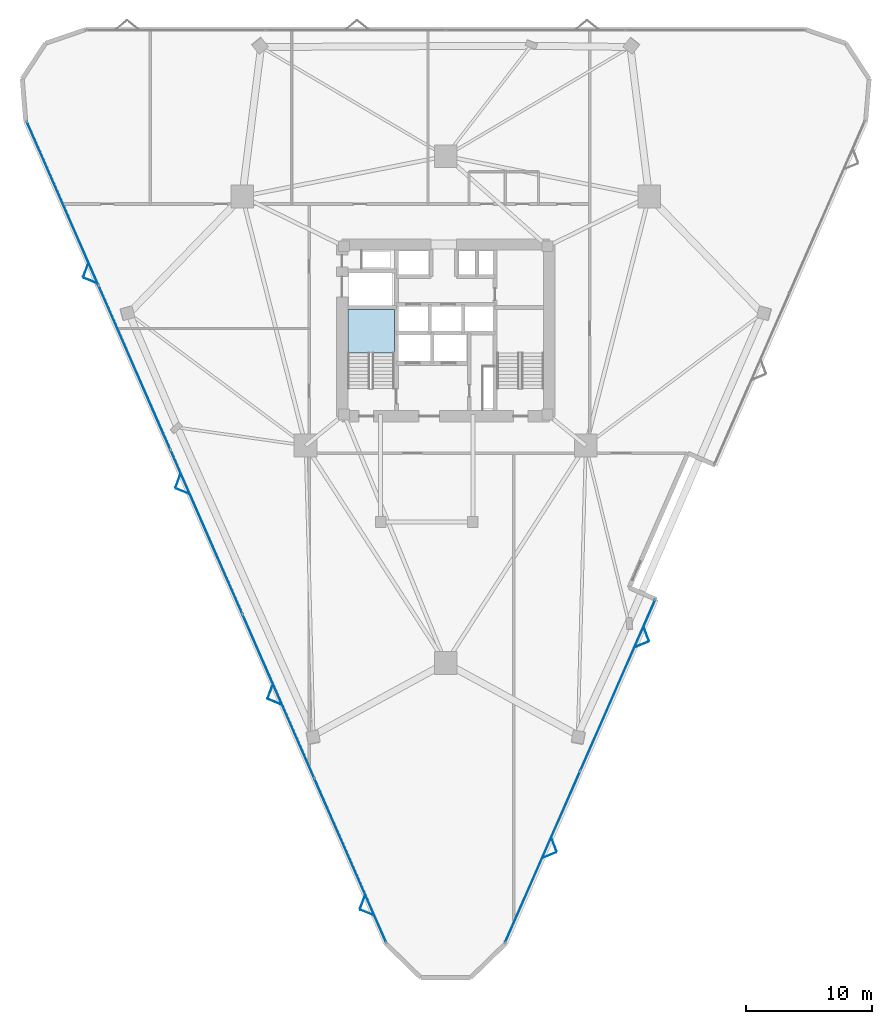
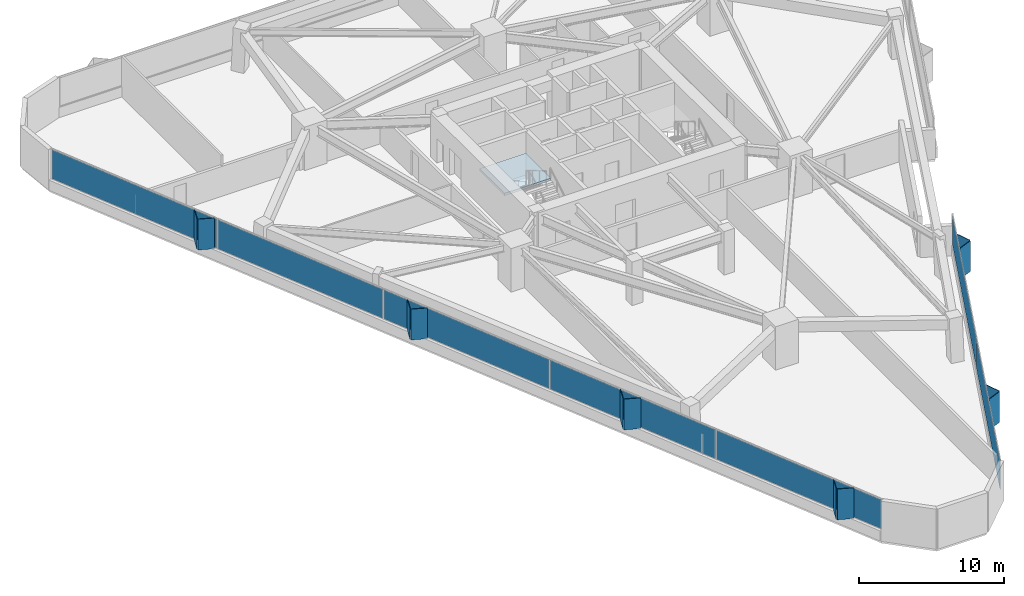
# One storey, part 9 of 14: 19 plates, 1 slab, 3 elements without a shape of their own.
"""IFC4 building model written with IfcOpenShell, lengths in metres."""

from ifc_helpers import new_model, si_unit, direction, frame, origin, origin_2d, place, context, subcontext, project, spatial, polyline, rectangle, outline, extrude, material, layer, layer_set, type_object, element, aggregate, save


model = new_model("IFC4")

# Units and contexts
model_context = context("Model", 3, precision=1e-05, world=origin(), true_north=direction((0.0, 1.0)))
body_context = subcontext(model_context, "Body", "Model", "MODEL_VIEW")
ifc_project = project(units=[si_unit("LENGTHUNIT", "METRE"), si_unit("AREAUNIT", "SQUARE_METRE"), si_unit("VOLUMEUNIT", "CUBIC_METRE"), si_unit("PLANEANGLEUNIT", "RADIAN"), si_unit("MASSUNIT", "GRAM", prefix="KILO")], contexts=[model_context])

# Site, building, storey
site_placement = place(None, origin())
site = spatial("IfcSite", under=ifc_project, at=site_placement, CompositionType="ELEMENT")
building_placement = place(site_placement, origin())
building = spatial("IfcBuilding", under=site, at=building_placement, Name="Talyreon Biosciences Tower", CompositionType="ELEMENT")
storey_placement = place(building_placement, frame((0.0, 0.0, 52.0)))
storey = spatial("IfcBuildingStorey", under=building, at=storey_placement, Name="L13", CompositionType="ELEMENT", Elevation=52.0)

# Curtain wall, plates
ifc_material_1 = material(Name="Thermally broken aluminium and low-E glazing", Category="aluminium")
ifc_layer_1 = layer(ifc_material_1, 0.205078125)
ifc_layer_set_1 = layer_set([ifc_layer_1], Name="Thermally broken aluminium and low-E glazing")
curtain_wall_type = type_object("IfcCurtainWallType", Name="CurtainWall_SkyGardenLoggia", PredefinedType="NOTDEFINED", material=ifc_layer_set_1)
curtain_wall_1_placement = place(storey_placement, origin())
curtain_wall_1 = element("IfcCurtainWall", 1, at=curtain_wall_1_placement, inside=storey, type_object=curtain_wall_type, Name="L13 Unitised Curtain Wall FCW-L13-11", PredefinedType="NOTDEFINED")
ifc_material_2 = material(Name="Acoustic laminated low-E insulated glazing", Category="glass")
ifc_layer_2 = layer(ifc_material_2, 0.0380859375)
ifc_layer_set_2 = layer_set([ifc_layer_2], Name="Acoustic laminated low-E insulated glazing")
plate_type_1 = type_object("IfcPlateType", Name="CWGlazingPanel_38", PredefinedType="CURTAIN_PANEL", material=ifc_layer_set_2)
plate_1_placement = place(storey_placement, frame((79.6181640625, 39.912109375, 0.875), z_axis=(0.0, 0.0, 1.0), x_axis=(-0.401096974143, -0.916035598289, 0.0)))
plate_1 = element("IfcPlate", 2, at=plate_1_placement, type_object=plate_type_1, Name="CW7 panel 1.1", PredefinedType="CURTAIN_PANEL", context=body_context, shape_type="SweptSolid", body=[
    extrude(rectangle(XDim=14.7392578125, YDim=0.0380859375, at=origin_2d()), origin(), (0.0, 0.0, 1.0), 2.43505859375),
])
plate_2_placement = place(storey_placement, frame((73.676025390625, 26.341796875, 0.875), z_axis=(0.0, 0.0, 1.0), x_axis=(-0.401096974143, -0.916035598289, 0.0)))
plate_2 = element("IfcPlate", 3, at=plate_2_placement, type_object=plate_type_1, Name="CW7 panel 2.1", PredefinedType="CURTAIN_PANEL", context=body_context, shape_type="SweptSolid", body=[
    extrude(rectangle(XDim=14.7392578125, YDim=0.0380859375, at=origin_2d()), origin(), (0.0, 0.0, 1.0), 2.43505859375),
])
aggregate(curtain_wall_1, [plate_1, plate_2])

curtain_wall_2_placement = place(storey_placement, origin())
curtain_wall_2 = element("IfcCurtainWall", 4, at=curtain_wall_2_placement, inside=storey, type_object=curtain_wall_type, Name="L13 Unitised Curtain Wall FCW-L13-15", PredefinedType="NOTDEFINED")
plate_3_placement = place(storey_placement, frame((58.454345703125, 26.0439453125, 0.875), z_axis=(0.0, 0.0, 1.0), x_axis=(-0.40109726429, 0.916035471245, 0.0)))
plate_3 = element("IfcPlate", 5, at=plate_3_placement, type_object=plate_type_1, Name="CW7 panel 1.1", PredefinedType="CURTAIN_PANEL", context=body_context, shape_type="SweptSolid", body=[
    extrude(rectangle(XDim=14.0888671875, YDim=0.0380859375, at=origin_2d()), origin(), (0.0, 0.0, 1.0), 2.43505859375),
])
plate_4_placement = place(storey_placement, frame((52.765625, 39.03564453125, 0.875), z_axis=(0.0, 0.0, 1.0), x_axis=(-0.40109726429, 0.916035471245, 0.0)))
plate_4 = element("IfcPlate", 6, at=plate_4_placement, type_object=plate_type_1, Name="CW7 panel 2.1", PredefinedType="CURTAIN_PANEL", context=body_context, shape_type="SweptSolid", body=[
    extrude(rectangle(XDim=14.12646484375, YDim=0.0380859375, at=origin_2d()), origin(), (0.0, 0.0, 1.0), 2.43505859375),
])
plate_5_placement = place(storey_placement, frame((47.069580078125, 52.044677734375, 0.875), z_axis=(0.0, 0.0, 1.0), x_axis=(-0.40109726429, 0.916035471245, 0.0)))
plate_5 = element("IfcPlate", 7, at=plate_5_placement, type_object=plate_type_1, Name="CW7 panel 3.1", PredefinedType="CURTAIN_PANEL", context=body_context, shape_type="SweptSolid", body=[
    extrude(rectangle(XDim=14.12646484375, YDim=0.0380859375, at=origin_2d()), origin(), (0.0, 0.0, 1.0), 2.43505859375),
])
plate_6_placement = place(storey_placement, frame((41.373291015625, 65.0537109375, 0.875), z_axis=(0.0, 0.0, 1.0), x_axis=(-0.40109726429, 0.916035471245, 0.0)))
plate_6 = element("IfcPlate", 8, at=plate_6_placement, type_object=plate_type_1, Name="CW7 panel 4.1", PredefinedType="CURTAIN_PANEL", context=body_context, shape_type="SweptSolid", body=[
    extrude(rectangle(XDim=14.12646484375, YDim=0.0380859375, at=origin_2d()), origin(), (0.0, 0.0, 1.0), 2.43505859375),
])
plate_7_placement = place(storey_placement, frame((35.684814453125, 78.04541015625, 0.875), z_axis=(0.0, 0.0, 1.0), x_axis=(-0.40109726429, 0.916035471245, 0.0)))
plate_7 = element("IfcPlate", 9, at=plate_7_placement, type_object=plate_type_1, Name="CW7 panel 5.1", PredefinedType="CURTAIN_PANEL", context=body_context, shape_type="SweptSolid", body=[
    extrude(rectangle(XDim=14.0888671875, YDim=0.0380859375, at=origin_2d()), origin(), (0.0, 0.0, 1.0), 2.43505859375),
])
aggregate(curtain_wall_2, [plate_3, plate_4, plate_5, plate_6, plate_7])

# Plates
ifc_material_3 = material(Name="Ivory GFRC sunshade panel", Category="concrete")
ifc_layer_3 = layer(ifc_material_3, 0.044921875)
ifc_layer_set_3 = layer_set([ifc_layer_3], Name="Ivory GFRC sunshade panel")
plate_type_2 = type_object("IfcPlateType", Name="FoldedVSunshade_SunFace_SUNSHADE", PredefinedType="USERDEFINED", material=ifc_layer_set_3)
for number, where, z_axis, x_axis, name in (
    (10, (81.876220703125, 43.971923828125, 0.7900390625), (0.0, 0.0, 1.0), (0.347803073264, -0.937567609417, 0.0), "L13 Folded V-Sunshade Panel 11.01L"),
    (11, (81.51513671875, 43.147705078125, 0.7900390625), (0.0, 0.0, 1.0), (-0.924858316353, -0.380311838723, 0.0), "L13 Folded V-Sunshade Panel 11.01R"),
    (12, (74.576171875, 27.300048828125, 0.7900390625), (0.0, 0.0, 1.0), (0.347803073264, -0.937567609417, 0.0), "L13 Folded V-Sunshade Panel 11.02L"),
    (13, (74.215087890625, 26.4755859375, 0.7900390625), (0.0, 0.0, 1.0), (-0.924858316353, -0.380311838723, 0.0), "L13 Folded V-Sunshade Panel 11.02R"),
    (14, (59.775634765625, 21.928955078125, 0.7900390625), (0.0, 0.0, 1.0), (-0.924858316353, 0.380311838723, 0.0), "L13 Folded V-Sunshade Panel 15.01L"),
    (15, (59.414794921875, 22.75341796875, 0.7900390625), (0.0, 0.0, 1.0), (0.347803073264, 0.937567609417, 0.0), "L13 Folded V-Sunshade Panel 15.01R"),
    (16, (52.475830078125, 38.600830078125, 0.7900390625), (0.0, 0.0, 1.0), (-0.924858316353, 0.380311838723, 0.0), "L13 Folded V-Sunshade Panel 15.02L"),
    (17, (52.11474609375, 39.42529296875, 0.7900390625), (0.0, 0.0, 1.0), (0.347803073264, 0.937567609417, 0.0), "L13 Folded V-Sunshade Panel 15.02R"),
    (18, (45.17578125, 55.272705078125, 0.7900390625), (0.0, 0.0, 1.0), (-0.924858316353, 0.380311838723, 0.0), "L13 Folded V-Sunshade Panel 15.03L"),
    (19, (44.814697265625, 56.096923828125, 0.7900390625), (0.0, 0.0, 1.0), (0.347803073264, 0.937567609417, 0.0), "L13 Folded V-Sunshade Panel 15.03R"),
    (20, (37.875732421875, 71.944580078125, 0.7900390625), (0.0, 0.0, 1.0), (-0.924858316353, 0.380311838723, 0.0), "L13 Folded V-Sunshade Panel 15.04L"),
    (21, (37.514892578125, 72.768798828125, 0.7900390625), (0.0, 0.0, 1.0), (0.347803073264, 0.937567609417, 0.0), "L13 Folded V-Sunshade Panel 15.04R"),
):
    element("IfcPlate", number, at=place(storey_placement, frame(where, z_axis=z_axis, x_axis=x_axis)), inside=storey, type_object=plate_type_2, Name=name, ObjectType="SUNSHADE", PredefinedType="USERDEFINED", context=body_context, shape_type="SweptSolid", body=[
        extrude(rectangle(XDim=1.14990234375, YDim=0.044921875, at=origin_2d()), origin(), (0.0, 0.0, 1.0), 2.5849609375),
    ])

# Stair, slab
ifc_material_4 = material(Name="Concrete C40/50", Category="concrete")
stair_type = type_object("IfcStairType", Name="DoglegEscapeStair_3650", PredefinedType="HALF_TURN_STAIR", material=ifc_material_4)
stair_placement = place(storey_placement, origin())
stair = element("IfcStair", 22, at=stair_placement, inside=storey, type_object=stair_type, Name="L13 Core Escape Stair 1", PredefinedType="HALF_TURN_STAIR")
ifc_layer_4 = layer(ifc_material_4, 0.199951171875)
ifc_layer_set_4 = layer_set([ifc_layer_4], Name="Concrete C40/50")
slab_type = type_object("IfcSlabType", Name="StairLandingSlab_200", PredefinedType="LANDING", material=ifc_layer_set_4)
slab_placement = place(storey_placement, frame((0.0, 0.0, 1.625)))
slab = element("IfcSlab", 23, at=slab_placement, type_object=slab_type, Name="ST-1 landing 1", PredefinedType="LANDING", context=body_context, shape_type="SweptSolid", body=[
    extrude(outline(polyline([(61.929931640625, 66.199951171875), (61.929931640625, 69.64990234375), (58.25, 69.64990234375), (58.25, 66.199951171875), (61.929931640625, 66.199951171875)])), origin(), (0.0, 0.0, 1.0), 0.199951171875),
])
aggregate(stair, [slab])

save(model, "model.ifc")
